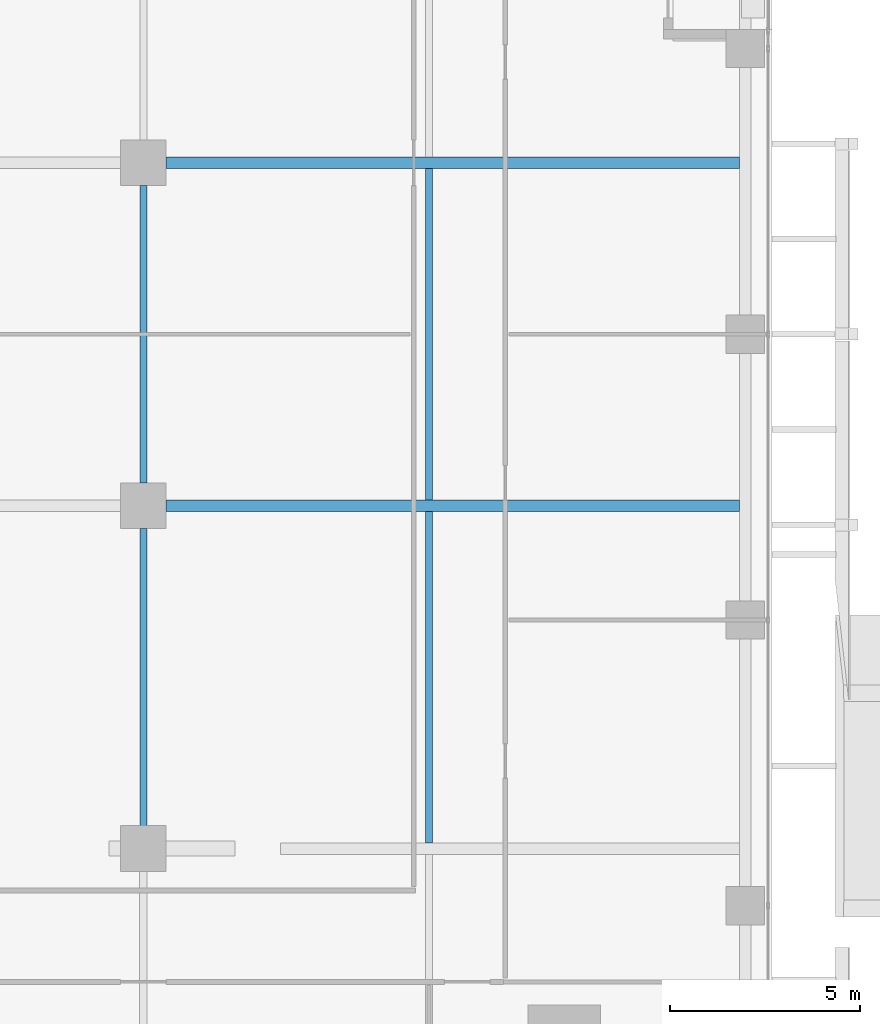
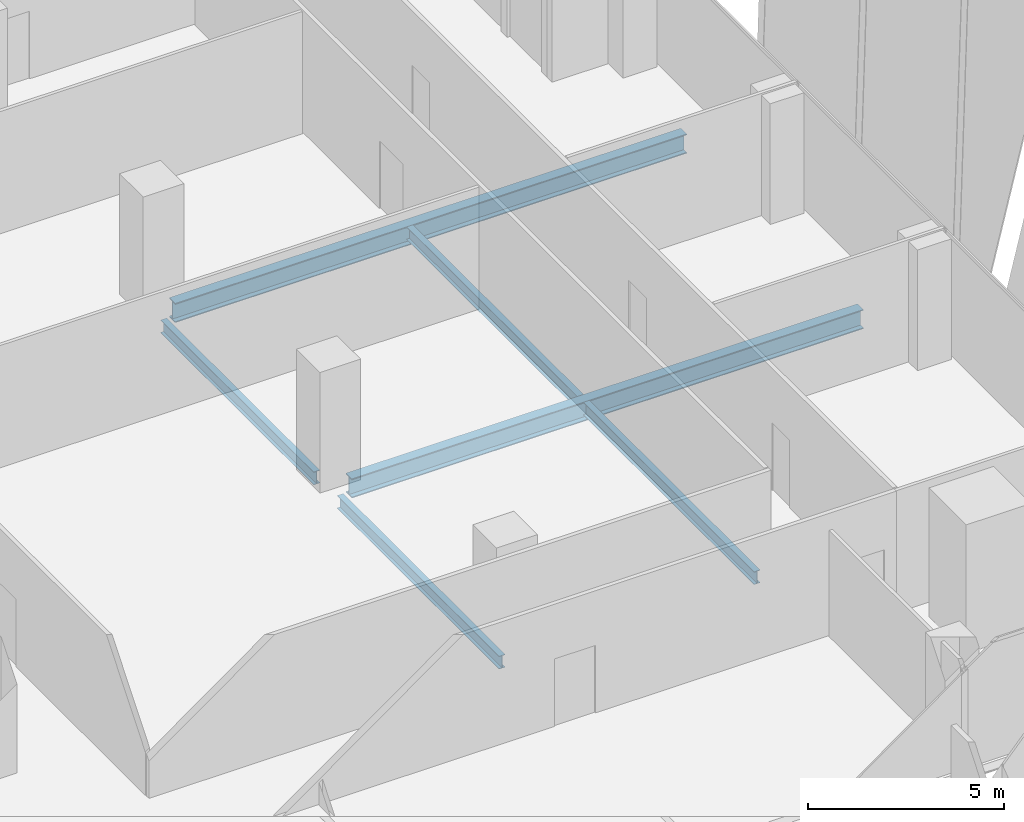
# One storey, part 12 of 35: 6 beams.
"""IFC4 building model written with IfcOpenShell, lengths in metres."""

from ifc_helpers import new_model, si_unit, direction, frame, origin, origin_2d, place, context, subcontext, project, spatial, i_section, extrude, source, transform, mapped, material, material_profile, profile_set, type_object, element, save


model = new_model("IFC4")

# Units and contexts
model_context = context("Model", 3, precision=1e-05, world=origin(), true_north=direction((0.0, 1.0)))
body_context = subcontext(model_context, "Body", "Model", "MODEL_VIEW")
ifc_project = project(units=[si_unit("LENGTHUNIT", "METRE"), si_unit("AREAUNIT", "SQUARE_METRE"), si_unit("VOLUMEUNIT", "CUBIC_METRE"), si_unit("PLANEANGLEUNIT", "RADIAN"), si_unit("MASSUNIT", "GRAM", prefix="KILO")], contexts=[model_context])

# Site, building, storey
site_placement = place(None, origin())
site = spatial("IfcSite", under=ifc_project, at=site_placement, CompositionType="ELEMENT")
building_placement = place(site_placement, origin())
building = spatial("IfcBuilding", under=site, at=building_placement, Name="Khomas Fold Tower", CompositionType="ELEMENT")
storey_placement = place(building_placement, frame((0.0, 0.0, 188.699951171875)))
storey = spatial("IfcBuildingStorey", under=building, at=storey_placement, Name="L41", CompositionType="ELEMENT", Elevation=188.699951171875)

# Beams
ifc_material_1 = material(Name="Steel S355", Category="steel")
ifc_material_profile_1 = material_profile(ifc_material_1, i_section(OverallWidth=0.179931640625, OverallDepth=0.39990234375, WebThickness=0.008544921875, FlangeThickness=0.013427734375, at=origin_2d()), Name="IPE 400")
ifc_profile_set_1 = profile_set([ifc_material_profile_1], Name="Steel S355")
beam_type_1 = type_object("IfcBeamType", Name="IPE 400 beam JB3", PredefinedType="BEAM", material=ifc_profile_set_1)
shared_shape_1 = source(origin(), body_context, "Body", "SweptSolid", [
    extrude(i_section(OverallWidth=0.179931640625, OverallDepth=0.39990234375, WebThickness=0.008544921875, FlangeThickness=0.013427734375, at=origin_2d()), origin(), (0.0, 0.0, 1.0), 8.7001953125),
])
for number, where, z_axis, x_axis, name in (
    (1, (42.0, 13.64990234375, -0.449951171875), (0.0, 1.0, 0.0), (-1.0, 0.0, 0.0), "JB3"),
    (2, (42.0, 22.64990234375, -0.449951171875), (0.0, 1.0, 0.0), (-1.0, 0.0, 0.0), "JB3"),
):
    element("IfcBeam", number, at=place(storey_placement, frame(where, z_axis=z_axis, x_axis=x_axis)), inside=storey, type_object=beam_type_1, Name=name, PredefinedType="BEAM", context=body_context, shape_type="MappedRepresentation", body=[
        mapped(shared_shape_1, transform((0.0, 0.0, 0.0))),
    ])
ifc_material_2 = material(Name="Steel S355", Category="steel")
ifc_material_profile_2 = material_profile(ifc_material_2, i_section(OverallWidth=0.300048828125, OverallDepth=0.60009765625, WebThickness=0.015380859375, FlangeThickness=0.030029296875, at=origin_2d()), Name="HE 600 B")
ifc_profile_set_2 = profile_set([ifc_material_profile_2], Name="Steel S355")
beam_type_2 = type_object("IfcBeamType", Name="HE 600 B beam GB5", PredefinedType="BEAM", material=ifc_profile_set_2)
shared_shape_2 = source(origin(), body_context, "Body", "SweptSolid", [
    extrude(i_section(OverallWidth=0.300048828125, OverallDepth=0.60009765625, WebThickness=0.015380859375, FlangeThickness=0.030029296875, at=origin_2d()), origin(), (0.0, 0.0, 1.0), 15.0498046875),
])
for number, where, z_axis, x_axis, name in (
    (3, (35.10009765625, 22.5, -0.550048828125), (1.0, 0.0, 0.0), (0.0, 1.0, 0.0), "GB5"),
    (4, (35.10009765625, 31.5, -0.550048828125), (1.0, 0.0, 0.0), (0.0, 1.0, 0.0), "GB5"),
):
    element("IfcBeam", number, at=place(storey_placement, frame(where, z_axis=z_axis, x_axis=x_axis)), inside=storey, type_object=beam_type_2, Name=name, PredefinedType="BEAM", context=body_context, shape_type="MappedRepresentation", body=[
        mapped(shared_shape_2, transform((0.0, 0.0, 0.0))),
    ])
shared_shape_3 = source(origin(), body_context, "Body", "SweptSolid", [
    extrude(i_section(OverallWidth=0.179931640625, OverallDepth=0.39990234375, WebThickness=0.008544921875, FlangeThickness=0.013427734375, at=origin_2d()), origin(), (0.0, 0.0, 1.0), 7.7998046875),
])
beam_1_placement = place(storey_placement, frame((34.5, 23.10009765625, -0.449951171875), z_axis=(0.0, 1.0, 0.0), x_axis=(-1.0, 0.0, 0.0)))
element("IfcBeam", 5, at=beam_1_placement, inside=storey, type_object=beam_type_1, Name="JB3", PredefinedType="BEAM", context=body_context, shape_type="MappedRepresentation", body=[
    mapped(shared_shape_3, transform((0.0, 0.0, 0.0))),
])
shared_shape_4 = source(origin(), body_context, "Body", "SweptSolid", [
    extrude(i_section(OverallWidth=0.179931640625, OverallDepth=0.39990234375, WebThickness=0.008544921875, FlangeThickness=0.013427734375, at=origin_2d()), origin(), (0.0, 0.0, 1.0), 8.25),
])
beam_2_placement = place(storey_placement, frame((34.5, 13.64990234375, -0.449951171875), z_axis=(0.0, 1.0, 0.0), x_axis=(-1.0, 0.0, 0.0)))
element("IfcBeam", 6, at=beam_2_placement, inside=storey, type_object=beam_type_1, Name="JB3", PredefinedType="BEAM", context=body_context, shape_type="MappedRepresentation", body=[
    mapped(shared_shape_4, transform((0.0, 0.0, 0.0))),
])

save(model, "model.ifc")
